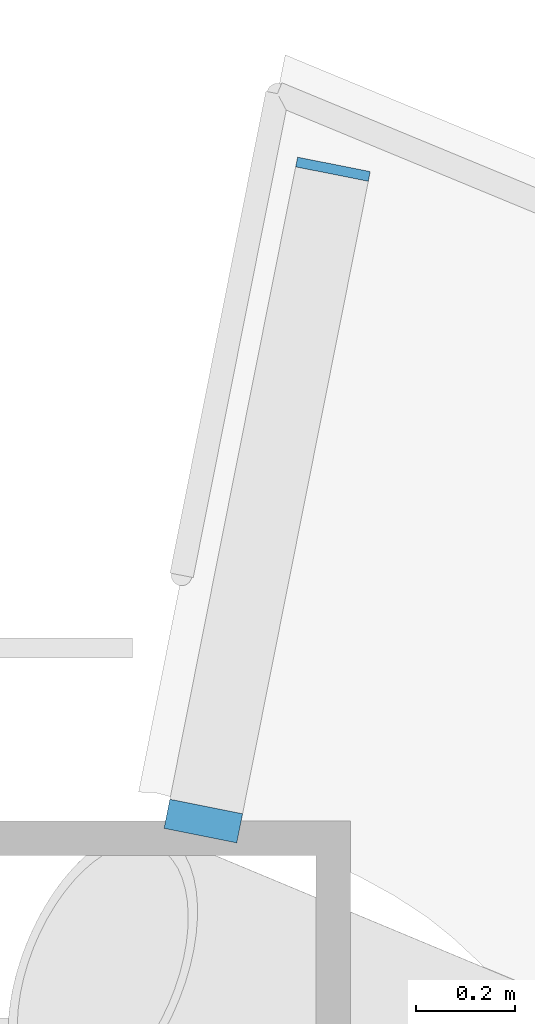
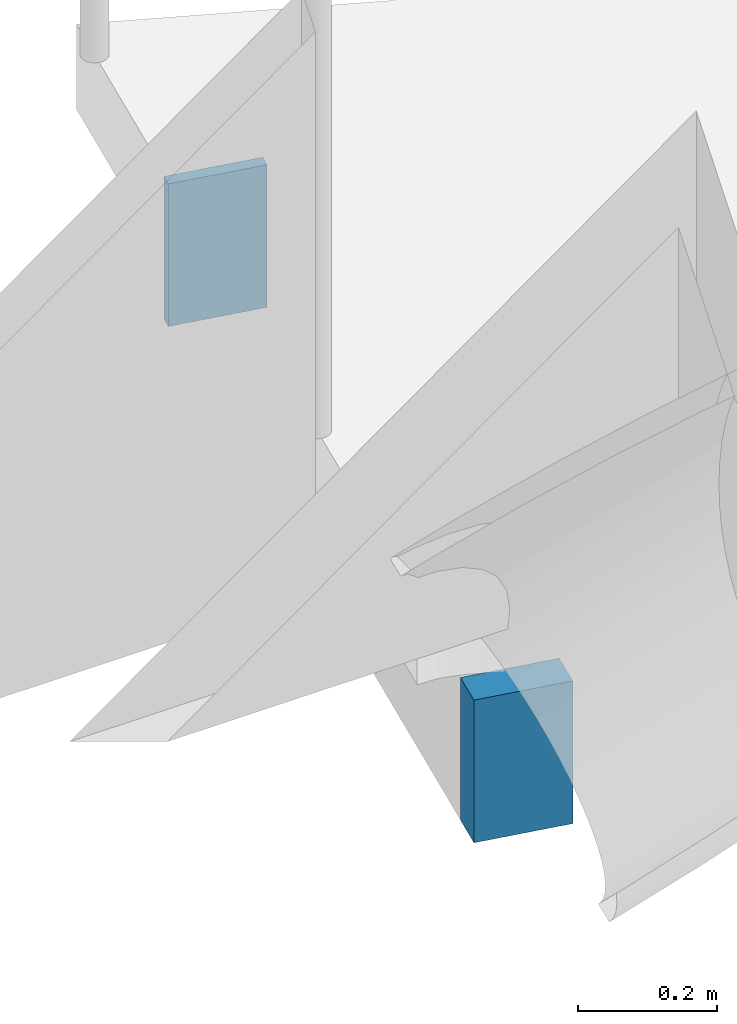
# One storey, part 24 of 30: 2 discrete accessories.
"""IFC4 building model written with IfcOpenShell, lengths in metres."""

from ifc_helpers import new_model, si_unit, direction, frame, origin, origin_2d, place, context, subcontext, project, spatial, rectangle, extrude, material, layer, layer_set, type_object, element, save


model = new_model("IFC4")

# Units and contexts
model_context = context("Model", 3, precision=1e-05, world=origin(), true_north=direction((0.0, 1.0)))
body_context = subcontext(model_context, "Body", "Model", "MODEL_VIEW")
ifc_project = project(units=[si_unit("LENGTHUNIT", "METRE"), si_unit("AREAUNIT", "SQUARE_METRE"), si_unit("VOLUMEUNIT", "CUBIC_METRE"), si_unit("PLANEANGLEUNIT", "RADIAN"), si_unit("MASSUNIT", "GRAM", prefix="KILO")], contexts=[model_context])

# Site, building, storey
site_placement = place(None, origin())
site = spatial("IfcSite", under=ifc_project, at=site_placement, CompositionType="ELEMENT")
building_placement = place(site_placement, origin())
building = spatial("IfcBuilding", under=site, at=building_placement, Name="Siwar Civic Tower", CompositionType="ELEMENT")
storey_placement = place(building_placement, frame((0.0, 0.0, 44.699951171875)))
storey = spatial("IfcBuildingStorey", under=building, at=storey_placement, Name="L09", CompositionType="ELEMENT", Elevation=44.699951171875)

# Discrete accessories
ifc_material_1 = material(Name="Stainless steel 316", Category="steel")
discrete_accessory_type_1 = type_object("IfcDiscreteAccessoryType", Name="ENV-BRACKET", PredefinedType="BRACKET", material=ifc_material_1)
discrete_accessory_1_placement = place(storey_placement, frame((22.752197265625, 32.050048828125, -0.39990234375), z_axis=(0.0, 0.0, 1.0), x_axis=(0.195090322016, 0.980785280403, 0.0)))
element("IfcDiscreteAccessory", 1, at=discrete_accessory_1_placement, inside=storey, type_object=discrete_accessory_type_1, Name="Bracket balcony cantilever beam NE 3", PredefinedType="BRACKET", context=body_context, shape_type="SweptSolid", body=[
    extrude(rectangle(XDim=0.06005859375, YDim=0.14990234375, at=origin_2d()), origin(), (0.0, 0.0, 1.0), 0.25),
])
ifc_material_2 = material(Name="Steel S355", Category="steel")
ifc_layer = layer(ifc_material_2, 0.02001953125)
ifc_layer_set = layer_set([ifc_layer], Name="Steel S355")
discrete_accessory_type_2 = type_object("IfcDiscreteAccessoryType", Name="STR-END-CAP", PredefinedType="USERDEFINED", material=ifc_layer_set)
discrete_accessory_2_placement = place(storey_placement, frame((23.014404296875, 33.36865234375, -0.39990234375), z_axis=(0.0, 0.0, 1.0), x_axis=(0.195090322649, 0.980785280277, 0.0)))
element("IfcDiscreteAccessory", 2, at=discrete_accessory_2_placement, inside=storey, type_object=discrete_accessory_type_2, Name="End cap plate Balcony cantilever beam NE 3", ObjectType="END CAP PLATE", PredefinedType="USERDEFINED", context=body_context, shape_type="SweptSolid", body=[
    extrude(rectangle(XDim=0.02001953125, YDim=0.14990234375, at=origin_2d()), origin(), (0.0, 0.0, 1.0), 0.25),
])

save(model, "model.ifc")
